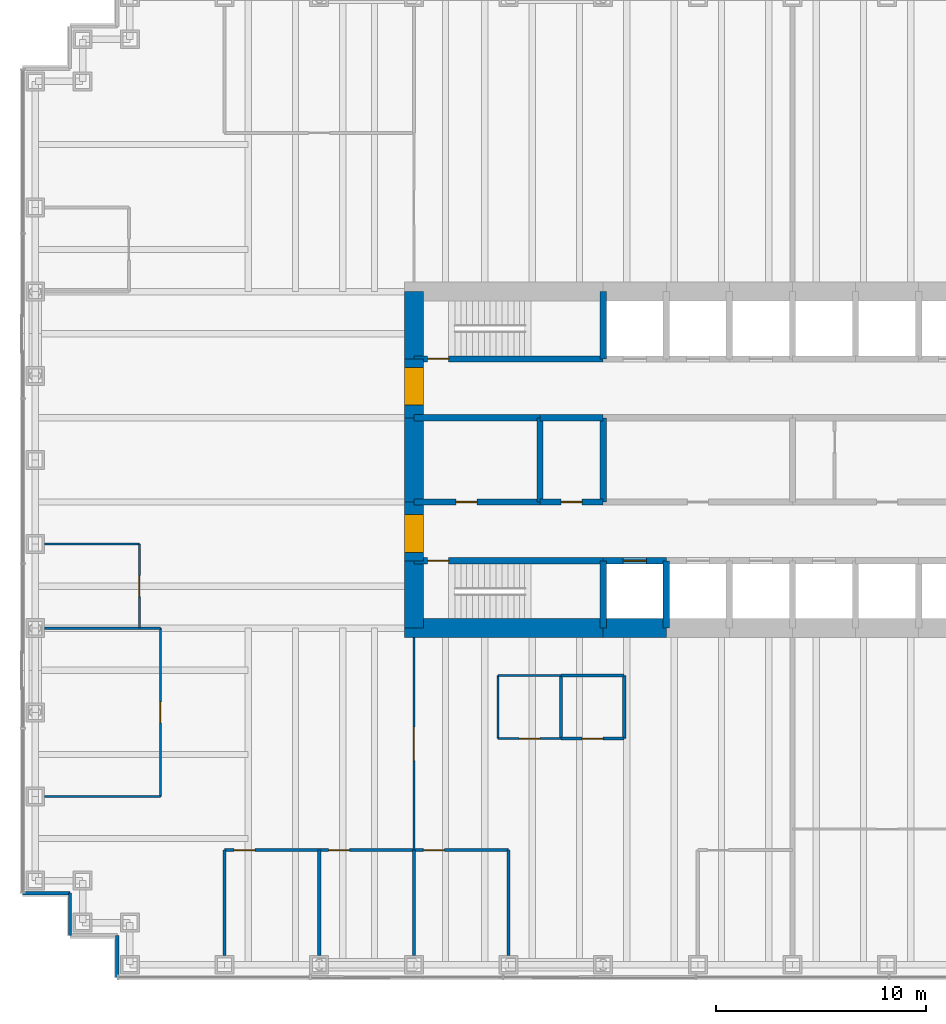
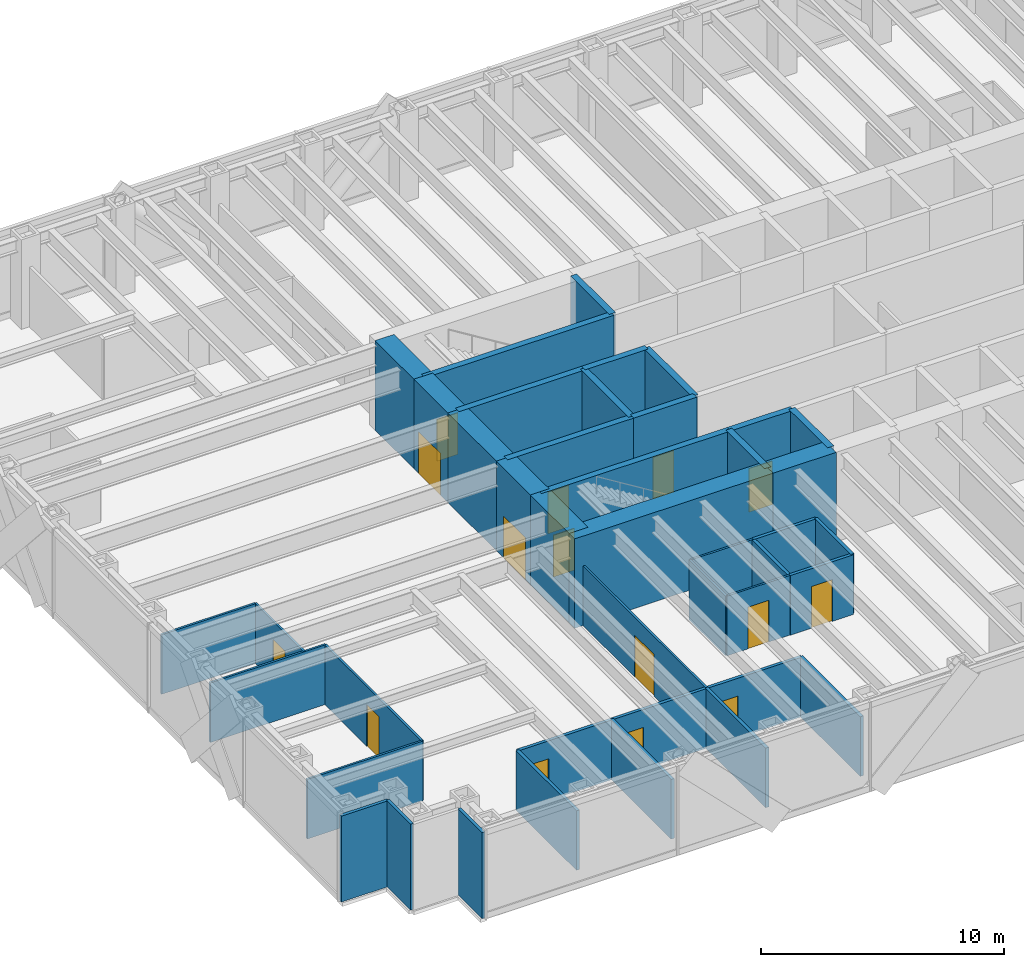
# One storey, part 9 of 13: 40 walls, 15 doors, 15 openings.
"""IFC4 building model written with IfcOpenShell, lengths in metres."""

from ifc_helpers import new_model, si_unit, direction, frame, frame_2d, origin, place, context, subcontext, project, spatial, rectangle, extrude, material, layer, layer_set, type_object, element, fill, save


model = new_model("IFC4")

# Units and contexts
model_context = context("Model", 3, precision=1e-05, world=origin(), true_north=direction((0.0, 1.0)))
body_context = subcontext(model_context, "Body", "Model", "MODEL_VIEW")
ifc_project = project(units=[si_unit("LENGTHUNIT", "METRE"), si_unit("AREAUNIT", "SQUARE_METRE"), si_unit("VOLUMEUNIT", "CUBIC_METRE"), si_unit("PLANEANGLEUNIT", "RADIAN"), si_unit("MASSUNIT", "GRAM", prefix="KILO")], contexts=[model_context])

# Site, building, storey
site_placement = place(None, origin())
site = spatial("IfcSite", under=ifc_project, at=site_placement, CompositionType="ELEMENT")
building_placement = place(site_placement, origin())
building = spatial("IfcBuilding", under=site, at=building_placement, Name="Rheinbord Bourse Tower", CompositionType="ELEMENT")
storey_placement = place(building_placement, frame((0.0, 0.0, 50.0)))
storey = spatial("IfcBuildingStorey", under=building, at=storey_placement, Name="L10", CompositionType="ELEMENT", Elevation=50.0)

# Wall, opening, door
ifc_material_1 = material(Name="Concrete C50/60", Category="concrete")
ifc_layer_1 = layer(ifc_material_1, 0.300048828125)
ifc_layer_set_1 = layer_set([ifc_layer_1], Name="CORE INNER WALL 300")
wall_type_1 = type_object("IfcWallType", Name="CORE INNER WALL 300", PredefinedType="SOLIDWALL", material=ifc_layer_set_1)
wall_1_placement = place(storey_placement, frame((18.0, 19.199951171875, 0.0), z_axis=(0.0, 0.0, 1.0), x_axis=(1.0, 0.0, 0.0)))
wall_1 = element("IfcWall", 1, at=wall_1_placement, inside=storey, type_object=wall_type_1, Name="Core wall A1 L10", PredefinedType="SOLIDWALL", context=body_context, shape_type="SweptSolid", body=[
    extrude(rectangle(XDim=9.0, YDim=0.300048828125, at=frame_2d((4.5, 0.0))), origin(), (0.0, 0.0, 1.0), 4.5),
])
opening_1_placement = place(wall_1_placement, frame((0.64990234375, 0.0, 0.0)))
opening_1 = element("IfcOpeningElement", 2, at=opening_1_placement, cuts=wall_1, Name="Opening 1010", PredefinedType="OPENING", context=body_context, shape_type="SweptSolid", body=[
    extrude(rectangle(XDim=1.0, YDim=2.10009765625, at=frame_2d((0.5, 1.050048828125))), frame((0.0, 0.159912109375, 0.0), z_axis=(0.0, -1.0, 0.0), x_axis=(1.0, 0.0, 0.0)), (0.0, 0.0, 1.0), 0.320068359375),
])
ifc_material_2 = material(Name="Steel door", Category="steel")
door_type_1 = type_object("IfcDoorType", Name="DOOR 1000 EI30", OperationType="SINGLE_SWING_LEFT", PredefinedType="DOOR", material=ifc_material_2)
door_1_placement = place(opening_1_placement, origin())
door_1 = element("IfcDoor", 3, at=door_1_placement, inside=storey, type_object=door_type_1, Name="Stair door ST1 L10", OperationType="SINGLE_SWING_LEFT", OverallHeight=2.10009765625, OverallWidth=1.0, PredefinedType="DOOR", context=body_context, shape_type="SweptSolid", body=[
    extrude(rectangle(XDim=1.0, YDim=2.10009765625, at=frame_2d((0.5, 1.050048828125))), frame((0.0, 0.02490234375, 0.0), z_axis=(0.0, -1.0, 0.0), x_axis=(1.0, 0.0, 0.0)), (0.0, 0.0, 1.0), 0.050048828125),
])
fill(opening_1, door_1)

wall_2_placement = place(storey_placement, frame((27.0, 19.199951171875, 0.0), z_axis=(0.0, 0.0, 1.0), x_axis=(1.0, 0.0, 0.0)))
wall_2 = element("IfcWall", 4, at=wall_2_placement, inside=storey, type_object=wall_type_1, Name="Core wall A2 L10", PredefinedType="SOLIDWALL", context=body_context, shape_type="SweptSolid", body=[
    extrude(rectangle(XDim=3.0, YDim=0.300048828125, at=frame_2d((1.5, 0.0))), origin(), (0.0, 0.0, 1.0), 4.5),
])
opening_2_placement = place(wall_2_placement, frame((0.949951171875, 0.0, 0.0)))
opening_2 = element("IfcOpeningElement", 5, at=opening_2_placement, cuts=wall_2, Name="Opening FL1", PredefinedType="OPENING", context=body_context, shape_type="SweptSolid", body=[
    extrude(rectangle(XDim=1.10009765625, YDim=2.199951171875, at=frame_2d((0.550048828125, 1.10009765625))), frame((0.0, 0.159912109375, 0.0), z_axis=(0.0, -1.0, 0.0), x_axis=(1.0, 0.0, 0.0)), (0.0, 0.0, 1.0), 0.320068359375),
])
ifc_material_3 = material(Name="Steel landing door", Category="steel")
door_type_2 = type_object("IfcDoorType", Name="LIFT LANDING DOOR 1100", OperationType="DOUBLE_DOOR_SLIDING", PredefinedType="USERDEFINED", material=ifc_material_3)
door_2_placement = place(opening_2_placement, origin())
door_2 = element("IfcDoor", 6, at=door_2_placement, inside=storey, type_object=door_type_2, Name="Lift landing door FL1 L10", ObjectType="LIFT LANDING DOOR", OperationType="DOUBLE_DOOR_SLIDING", OverallHeight=2.199951171875, OverallWidth=1.10009765625, PredefinedType="USERDEFINED", context=body_context, shape_type="SweptSolid", body=[
    extrude(rectangle(XDim=1.10009765625, YDim=2.199951171875, at=frame_2d((0.550048828125, 1.10009765625))), frame((0.0, 0.02490234375, 0.0), z_axis=(0.0, -1.0, 0.0), x_axis=(1.0, 0.0, 0.0)), (0.0, 0.0, 1.0), 0.050048828125),
])
fill(opening_2, door_2)

wall_3_placement = place(storey_placement, frame((18.0, 28.800048828125, 0.0), z_axis=(0.0, 0.0, 1.0), x_axis=(1.0, 0.0, 0.0)))
wall_3 = element("IfcWall", 7, at=wall_3_placement, inside=storey, type_object=wall_type_1, Name="Core wall B1 L10", PredefinedType="SOLIDWALL", context=body_context, shape_type="SweptSolid", body=[
    extrude(rectangle(XDim=9.0, YDim=0.300048828125, at=frame_2d((4.5, 0.0))), origin(), (0.0, 0.0, 1.0), 4.5),
])
opening_3_placement = place(wall_3_placement, frame((0.64990234375, 0.0, 0.0)))
opening_3 = element("IfcOpeningElement", 8, at=opening_3_placement, cuts=wall_3, Name="Opening 1020", PredefinedType="OPENING", context=body_context, shape_type="SweptSolid", body=[
    extrude(rectangle(XDim=1.0, YDim=2.10009765625, at=frame_2d((0.5, 1.050048828125))), frame((0.0, 0.159912109375, 0.0), z_axis=(0.0, -1.0, 0.0), x_axis=(1.0, 0.0, 0.0)), (0.0, 0.0, 1.0), 0.320068359375),
])
door_3_placement = place(opening_3_placement, origin())
door_3 = element("IfcDoor", 9, at=door_3_placement, inside=storey, type_object=door_type_1, Name="Stair door ST2 L10", OperationType="SINGLE_SWING_LEFT", OverallHeight=2.10009765625, OverallWidth=1.0, PredefinedType="DOOR", context=body_context, shape_type="SweptSolid", body=[
    extrude(rectangle(XDim=1.0, YDim=2.10009765625, at=frame_2d((0.5, 1.050048828125))), frame((0.0, 0.02490234375, 0.0), z_axis=(0.0, -1.0, 0.0), x_axis=(1.0, 0.0, 0.0)), (0.0, 0.0, 1.0), 0.050048828125),
])
fill(opening_3, door_3)

wall_4_placement = place(storey_placement, frame((18.0, 22.0, 0.0), z_axis=(0.0, 0.0, 1.0), x_axis=(1.0, 0.0, 0.0)))
wall_4 = element("IfcWall", 10, at=wall_4_placement, inside=storey, type_object=wall_type_1, Name="Core wall C1 L10", PredefinedType="SOLIDWALL", context=body_context, shape_type="SweptSolid", body=[
    extrude(rectangle(XDim=6.0, YDim=0.300048828125, at=frame_2d((3.0, 0.0))), origin(), (0.0, 0.0, 1.0), 4.5),
])
opening_4_placement = place(wall_4_placement, frame((2.0, 0.0, 0.0)))
opening_4 = element("IfcOpeningElement", 11, at=opening_4_placement, cuts=wall_4, Name="Opening 10R1", PredefinedType="OPENING", context=body_context, shape_type="SweptSolid", body=[
    extrude(rectangle(XDim=1.0, YDim=2.10009765625, at=frame_2d((0.5, 1.050048828125))), frame((0.0, 0.159912109375, 0.0), z_axis=(0.0, -1.0, 0.0), x_axis=(1.0, 0.0, 0.0)), (0.0, 0.0, 1.0), 0.320068359375),
])
ifc_material_4 = material(Name="Timber door", Category="wood")
door_type_3 = type_object("IfcDoorType", Name="DOOR 1000 WC", OperationType="SINGLE_SWING_LEFT", PredefinedType="DOOR", material=ifc_material_4)
door_4_placement = place(opening_4_placement, origin())
door_4 = element("IfcDoor", 12, at=door_4_placement, inside=storey, type_object=door_type_3, Name="WC men door L10", OperationType="SINGLE_SWING_LEFT", OverallHeight=2.10009765625, OverallWidth=1.0, PredefinedType="DOOR", context=body_context, shape_type="SweptSolid", body=[
    extrude(rectangle(XDim=1.0, YDim=2.10009765625, at=frame_2d((0.5, 1.050048828125))), frame((0.0, 0.02490234375, 0.0), z_axis=(0.0, -1.0, 0.0), x_axis=(1.0, 0.0, 0.0)), (0.0, 0.0, 1.0), 0.050048828125),
])
fill(opening_4, door_4)

wall_5_placement = place(storey_placement, frame((24.0, 22.0, 0.0), z_axis=(0.0, 0.0, 1.0), x_axis=(1.0, 0.0, 0.0)))
wall_5 = element("IfcWall", 13, at=wall_5_placement, inside=storey, type_object=wall_type_1, Name="Core wall C2 L10", PredefinedType="SOLIDWALL", context=body_context, shape_type="SweptSolid", body=[
    extrude(rectangle(XDim=3.0, YDim=0.300048828125, at=frame_2d((1.5, 0.0))), origin(), (0.0, 0.0, 1.0), 4.5),
])
opening_5_placement = place(wall_5_placement, frame((1.0, 0.0, 0.0)))
opening_5 = element("IfcOpeningElement", 14, at=opening_5_placement, cuts=wall_5, Name="Opening 10R2", PredefinedType="OPENING", context=body_context, shape_type="SweptSolid", body=[
    extrude(rectangle(XDim=1.0, YDim=2.10009765625, at=frame_2d((0.5, 1.050048828125))), frame((0.0, 0.159912109375, 0.0), z_axis=(0.0, -1.0, 0.0), x_axis=(1.0, 0.0, 0.0)), (0.0, 0.0, 1.0), 0.320068359375),
])
door_5_placement = place(opening_5_placement, origin())
door_5 = element("IfcDoor", 15, at=door_5_placement, inside=storey, type_object=door_type_1, Name="First aid room door L10", OperationType="SINGLE_SWING_LEFT", OverallHeight=2.10009765625, OverallWidth=1.0, PredefinedType="DOOR", context=body_context, shape_type="SweptSolid", body=[
    extrude(rectangle(XDim=1.0, YDim=2.10009765625, at=frame_2d((0.5, 1.050048828125))), frame((0.0, 0.02490234375, 0.0), z_axis=(0.0, -1.0, 0.0), x_axis=(1.0, 0.0, 0.0)), (0.0, 0.0, 1.0), 0.050048828125),
])
fill(opening_5, door_5)

# Walls
wall_6_placement = place(storey_placement, frame((18.0, 26.0, 0.0), z_axis=(0.0, 0.0, 1.0), x_axis=(1.0, 0.0, 0.0)))
element("IfcWall", 16, at=wall_6_placement, inside=storey, type_object=wall_type_1, Name="Core wall D1 L10", PredefinedType="SOLIDWALL", context=body_context, shape_type="SweptSolid", body=[
    extrude(rectangle(XDim=6.0, YDim=0.300048828125, at=frame_2d((3.0, 0.0))), origin(), (0.0, 0.0, 1.0), 4.5),
])
wall_7_placement = place(storey_placement, frame((24.0, 26.0, 0.0), z_axis=(0.0, 0.0, 1.0), x_axis=(1.0, 0.0, 0.0)))
element("IfcWall", 17, at=wall_7_placement, inside=storey, type_object=wall_type_1, Name="Core wall D2 L10", PredefinedType="SOLIDWALL", context=body_context, shape_type="SweptSolid", body=[
    extrude(rectangle(XDim=3.0, YDim=0.300048828125, at=frame_2d((1.5, 0.0))), origin(), (0.0, 0.0, 1.0), 4.5),
])
for number, where, z_axis, x_axis, name in (
    (18, (27.0, 16.0, 0.0), (0.0, 0.0, 1.0), (0.0, 1.0, 0.0), "Core wall SX27 L10"),
    (19, (27.0, 28.800048828125, 0.0), (0.0, 0.0, 1.0), (0.0, 1.0, 0.0), "Core wall NX27 L10"),
    (20, (30.0, 16.0, 0.0), (0.0, 0.0, 1.0), (0.0, 1.0, 0.0), "Core wall SX30 L10"),
):
    element("IfcWall", number, at=place(storey_placement, frame(where, z_axis=z_axis, x_axis=x_axis)), inside=storey, type_object=wall_type_1, Name=name, PredefinedType="SOLIDWALL", context=body_context, shape_type="SweptSolid", body=[
        extrude(rectangle(XDim=3.199951171875, YDim=0.300048828125, at=frame_2d((1.60009765625, 0.0))), origin(), (0.0, 0.0, 1.0), 4.5),
    ])
for number, where, z_axis, x_axis, name in (
    (21, (24.0, 22.0, 0.0), (0.0, 0.0, 1.0), (0.0, 1.0, 0.0), "Core wall MX24 L10"),
    (22, (27.0, 22.0, 0.0), (0.0, 0.0, 1.0), (0.0, 1.0, 0.0), "Core wall MX27 L10"),
):
    element("IfcWall", number, at=place(storey_placement, frame(where, z_axis=z_axis, x_axis=x_axis)), inside=storey, type_object=wall_type_1, Name=name, PredefinedType="SOLIDWALL", context=body_context, shape_type="SweptSolid", body=[
        extrude(rectangle(XDim=4.0, YDim=0.300048828125, at=frame_2d((2.0, 0.0))), origin(), (0.0, 0.0, 1.0), 4.5),
    ])
ifc_material_5 = material(Name="Concrete C50/60", Category="concrete")
ifc_layer_2 = layer(ifc_material_5, 0.89990234375)
ifc_layer_set_2 = layer_set([ifc_layer_2], Name="CORE WALL 900")
wall_type_2 = type_object("IfcWallType", Name="CORE WALL 900", PredefinedType="SHEAR", material=ifc_layer_set_2)
wall_8_placement = place(storey_placement, frame((17.550048828125, 16.0, 0.0), z_axis=(0.0, 0.0, 1.0), x_axis=(1.0, 0.0, 0.0)))
element("IfcWall", 23, at=wall_8_placement, inside=storey, type_object=wall_type_2, Name="Core wall S1 L10", PredefinedType="SHEAR", context=body_context, shape_type="SweptSolid", body=[
    extrude(rectangle(XDim=9.449951171875, YDim=0.89990234375, at=frame_2d((4.72509765625, 0.0))), origin(), (0.0, 0.0, 1.0), 4.5),
])
wall_9_placement = place(storey_placement, frame((27.0, 16.0, 0.0), z_axis=(0.0, 0.0, 1.0), x_axis=(1.0, 0.0, 0.0)))
element("IfcWall", 24, at=wall_9_placement, inside=storey, type_object=wall_type_2, Name="Core wall S2 L10", PredefinedType="SHEAR", context=body_context, shape_type="SweptSolid", body=[
    extrude(rectangle(XDim=3.0, YDim=0.89990234375, at=frame_2d((1.5, 0.0))), origin(), (0.0, 0.0, 1.0), 4.5),
])
wall_10_placement = place(storey_placement, frame((18.0, 32.0, 0.0), z_axis=(0.0, 0.0, 1.0), x_axis=(0.0, -1.0, 0.0)))
element("IfcWall", 25, at=wall_10_placement, inside=storey, type_object=wall_type_2, Name="Core wall W1 L10", PredefinedType="SHEAR", context=body_context, shape_type="SweptSolid", body=[
    extrude(rectangle(XDim=3.199951171875, YDim=0.89990234375, at=frame_2d((1.60009765625, 0.0))), origin(), (0.0, 0.0, 1.0), 4.5),
])

# Wall, opening, door
wall_11_placement = place(storey_placement, frame((18.0, 28.800048828125, 0.0), z_axis=(0.0, 0.0, 1.0), x_axis=(0.0, -1.0, 0.0)))
wall_11 = element("IfcWall", 26, at=wall_11_placement, inside=storey, type_object=wall_type_2, Name="Core wall W2 L10", PredefinedType="SHEAR", context=body_context, shape_type="SweptSolid", body=[
    extrude(rectangle(XDim=2.800048828125, YDim=0.89990234375, at=frame_2d((1.39990234375, 0.0))), origin(), (0.0, 0.0, 1.0), 4.5),
])
opening_6_placement = place(wall_11_placement, frame((0.39990234375, 0.0, 0.0)))
opening_6 = element("IfcOpeningElement", 27, at=opening_6_placement, cuts=wall_11, Name="Opening 10L2", PredefinedType="OPENING", context=body_context, shape_type="SweptSolid", body=[
    extrude(rectangle(XDim=1.800048828125, YDim=2.10009765625, at=frame_2d((0.89990234375, 1.050048828125))), frame((0.0, 0.4599609375, 0.0), z_axis=(0.0, -1.0, 0.0), x_axis=(1.0, 0.0, 0.0)), (0.0, 0.0, 1.0), 0.919921875),
])
ifc_material_6 = material(Name="Steel door", Category="steel")
door_type_4 = type_object("IfcDoorType", Name="DOOR 1800 EI30 DOUBLE", OperationType="DOUBLE_DOOR_DOUBLE_SWING", PredefinedType="DOOR", material=ifc_material_6)
door_6_placement = place(opening_6_placement, origin())
door_6 = element("IfcDoor", 28, at=door_6_placement, inside=storey, type_object=door_type_4, Name="Lobby door 2 L10", OperationType="SINGLE_SWING_LEFT", OverallHeight=2.10009765625, OverallWidth=1.800048828125, PredefinedType="DOOR", context=body_context, shape_type="SweptSolid", body=[
    extrude(rectangle(XDim=1.800048828125, YDim=2.10009765625, at=frame_2d((0.89990234375, 1.050048828125))), frame((0.0, 0.44970703125, 0.0), z_axis=(0.0, -1.0, 0.0), x_axis=(1.0, 0.0, 0.0)), (0.0, 0.0, 1.0), 0.8994140625),
])
fill(opening_6, door_6)

# Wall
wall_12_placement = place(storey_placement, frame((18.0, 26.0, 0.0), z_axis=(0.0, 0.0, 1.0), x_axis=(0.0, -1.0, 0.0)))
element("IfcWall", 29, at=wall_12_placement, inside=storey, type_object=wall_type_2, Name="Core wall W3 L10", PredefinedType="SHEAR", context=body_context, shape_type="SweptSolid", body=[
    extrude(rectangle(XDim=4.0, YDim=0.89990234375, at=frame_2d((2.0, 0.0))), origin(), (0.0, 0.0, 1.0), 4.5),
])

# Wall, opening, door
wall_13_placement = place(storey_placement, frame((18.0, 22.0, 0.0), z_axis=(0.0, 0.0, 1.0), x_axis=(0.0, -1.0, 0.0)))
wall_13 = element("IfcWall", 30, at=wall_13_placement, inside=storey, type_object=wall_type_2, Name="Core wall W4 L10", PredefinedType="SHEAR", context=body_context, shape_type="SweptSolid", body=[
    extrude(rectangle(XDim=2.800048828125, YDim=0.89990234375, at=frame_2d((1.39990234375, 0.0))), origin(), (0.0, 0.0, 1.0), 4.5),
])
opening_7_placement = place(wall_13_placement, frame((0.60009765625, 0.0, 0.0)))
opening_7 = element("IfcOpeningElement", 31, at=opening_7_placement, cuts=wall_13, Name="Opening 10L1", PredefinedType="OPENING", context=body_context, shape_type="SweptSolid", body=[
    extrude(rectangle(XDim=1.800048828125, YDim=2.10009765625, at=frame_2d((0.89990234375, 1.050048828125))), frame((0.0, 0.4599609375, 0.0), z_axis=(0.0, -1.0, 0.0), x_axis=(1.0, 0.0, 0.0)), (0.0, 0.0, 1.0), 0.919921875),
])
door_7_placement = place(opening_7_placement, origin())
door_7 = element("IfcDoor", 32, at=door_7_placement, inside=storey, type_object=door_type_4, Name="Lobby door 1 L10", OperationType="SINGLE_SWING_LEFT", OverallHeight=2.10009765625, OverallWidth=1.800048828125, PredefinedType="DOOR", context=body_context, shape_type="SweptSolid", body=[
    extrude(rectangle(XDim=1.800048828125, YDim=2.10009765625, at=frame_2d((0.89990234375, 1.050048828125))), frame((0.0, 0.44970703125, 0.0), z_axis=(0.0, -1.0, 0.0), x_axis=(1.0, 0.0, 0.0)), (0.0, 0.0, 1.0), 0.8994140625),
])
fill(opening_7, door_7)

# Walls
wall_14_placement = place(storey_placement, frame((18.0, 19.199951171875, 0.0), z_axis=(0.0, 0.0, 1.0), x_axis=(0.0, -1.0, 0.0)))
element("IfcWall", 33, at=wall_14_placement, inside=storey, type_object=wall_type_2, Name="Core wall W5 L10", PredefinedType="SHEAR", context=body_context, shape_type="SweptSolid", body=[
    extrude(rectangle(XDim=3.199951171875, YDim=0.89990234375, at=frame_2d((1.60009765625, 0.0))), origin(), (0.0, 0.0, 1.0), 4.5),
])
ifc_material_7 = material(Name="Black metal rainscreen panel", Category="aluminium")
ifc_layer_3 = layer(ifc_material_7, 0.14990234375)
ifc_layer_set_3 = layer_set([ifc_layer_3], Name="CORNER PIER CLADDING 150")
wall_type_3 = type_object("IfcWallType", Name="CORNER PIER CLADDING 150", PredefinedType="ELEMENTEDWALL", material=ifc_layer_set_3)
wall_15_placement = place(storey_placement, frame((-0.60009765625, 3.39990234375, 0.0), z_axis=(0.0, 0.0, 1.0), x_axis=(1.0, 0.0, 0.0)))
element("IfcWall", 34, at=wall_15_placement, inside=storey, type_object=wall_type_3, Name="Corner pier cladding L10 17", PredefinedType="ELEMENTEDWALL", context=body_context, shape_type="SweptSolid", body=[
    extrude(rectangle(XDim=2.25, YDim=0.14990234375, at=frame_2d((1.125, 0.0))), origin(), (0.0, 0.0, 1.0), 4.320068359375),
])
for number, where, z_axis, x_axis, name in (
    (35, (1.64990234375, 3.39990234375, 0.0), (0.0, 0.0, 1.0), (0.0, -1.0, 0.0), "Corner pier cladding L10 18"),
    (36, (3.89990234375, 1.39990234375, 0.0), (0.0, 0.0, 1.0), (0.0, -1.0, 0.0), "Corner pier cladding L10 20"),
):
    element("IfcWall", number, at=place(storey_placement, frame(where, z_axis=z_axis, x_axis=x_axis)), inside=storey, type_object=wall_type_3, Name=name, PredefinedType="ELEMENTEDWALL", context=body_context, shape_type="SweptSolid", body=[
        extrude(rectangle(XDim=2.0, YDim=0.14990234375, at=frame_2d((1.0, 0.0))), origin(), (0.0, 0.0, 1.0), 4.320068359375),
    ])
ifc_material_8 = material(Name="Toughened laminated glass partition", Category="glass")
ifc_layer_4 = layer(ifc_material_8, 0.10009765625)
ifc_layer_set_4 = layer_set([ifc_layer_4], Name="GLAZED PARTITION 100")
wall_type_4 = type_object("IfcWallType", Name="GLAZED PARTITION 100", PredefinedType="PARTITIONING", material=ifc_layer_set_4)
wall_16_placement = place(storey_placement, frame((0.449951171875, 8.0, 0.0), z_axis=(0.0, 0.0, 1.0), x_axis=(1.0, 0.0, 0.0)))
element("IfcWall", 37, at=wall_16_placement, inside=storey, type_object=wall_type_4, Name="Partition L10-06", PredefinedType="PARTITIONING", context=body_context, shape_type="SweptSolid", body=[
    extrude(rectangle(XDim=5.5, YDim=0.10009765625, at=frame_2d((2.75, 0.0))), origin(), (0.0, 0.0, 1.0), 3.0),
])

# Wall, opening, door
wall_17_placement = place(storey_placement, frame((22.0, 10.75, 0.0), z_axis=(0.0, 0.0, 1.0), x_axis=(1.0, 0.0, 0.0)))
wall_17 = element("IfcWall", 38, at=wall_17_placement, inside=storey, type_object=wall_type_4, Name="Partition L10-07", PredefinedType="PARTITIONING", context=body_context, shape_type="SweptSolid", body=[
    extrude(rectangle(XDim=3.0, YDim=0.10009765625, at=frame_2d((1.5, 0.0))), origin(), (0.0, 0.0, 1.0), 3.0),
])
opening_8_placement = place(wall_17_placement, frame((1.0, 0.0, 0.0)))
opening_8 = element("IfcOpeningElement", 39, at=opening_8_placement, cuts=wall_17, Name="Opening 10D11", PredefinedType="OPENING", context=body_context, shape_type="SweptSolid", body=[
    extrude(rectangle(XDim=1.0, YDim=2.10009765625, at=frame_2d((0.5, 1.050048828125))), frame((0.0, 0.06005859375, 0.0), z_axis=(0.0, -1.0, 0.0), x_axis=(1.0, 0.0, 0.0)), (0.0, 0.0, 1.0), 0.1201171875),
])
ifc_material_9 = material(Name="Timber door", Category="wood")
door_type_5 = type_object("IfcDoorType", Name="ROOM DOOR 1000", OperationType="SINGLE_SWING_LEFT", PredefinedType="DOOR", material=ifc_material_9)
door_8_placement = place(opening_8_placement, origin())
door_8 = element("IfcDoor", 40, at=door_8_placement, inside=storey, type_object=door_type_5, Name="Quiet room door L10", OperationType="SINGLE_SWING_LEFT", OverallHeight=2.10009765625, OverallWidth=1.0, PredefinedType="DOOR", context=body_context, shape_type="SweptSolid", body=[
    extrude(rectangle(XDim=1.0, YDim=2.10009765625, at=frame_2d((0.5, 1.050048828125))), frame((0.0, 0.02490234375, 0.0), z_axis=(0.0, -1.0, 0.0), x_axis=(1.0, 0.0, 0.0)), (0.0, 0.0, 1.0), 0.050048828125),
])
fill(opening_8, door_8)

# Walls
wall_18_placement = place(storey_placement, frame((22.0, 13.75, 0.0), z_axis=(0.0, 0.0, 1.0), x_axis=(1.0, 0.0, 0.0)))
element("IfcWall", 41, at=wall_18_placement, inside=storey, type_object=wall_type_4, Name="Partition L10-10", PredefinedType="PARTITIONING", context=body_context, shape_type="SweptSolid", body=[
    extrude(rectangle(XDim=3.0, YDim=0.10009765625, at=frame_2d((1.5, 0.0))), origin(), (0.0, 0.0, 1.0), 3.0),
])
wall_19_placement = place(storey_placement, frame((0.449951171875, 16.0, 0.0), z_axis=(0.0, 0.0, 1.0), x_axis=(1.0, 0.0, 0.0)))
element("IfcWall", 42, at=wall_19_placement, inside=storey, type_object=wall_type_4, Name="Partition L10-12", PredefinedType="PARTITIONING", context=body_context, shape_type="SweptSolid", body=[
    extrude(rectangle(XDim=5.5, YDim=0.10009765625, at=frame_2d((2.75, 0.0))), origin(), (0.0, 0.0, 1.0), 3.0),
])
wall_20_placement = place(storey_placement, frame((0.449951171875, 20.0, 0.0), z_axis=(0.0, 0.0, 1.0), x_axis=(1.0, 0.0, 0.0)))
element("IfcWall", 43, at=wall_20_placement, inside=storey, type_object=wall_type_4, Name="Partition L10-14", PredefinedType="PARTITIONING", context=body_context, shape_type="SweptSolid", body=[
    extrude(rectangle(XDim=4.5, YDim=0.10009765625, at=frame_2d((2.25, 0.0))), origin(), (0.0, 0.0, 1.0), 3.0),
])

# Wall, opening, door
wall_21_placement = place(storey_placement, frame((4.949951171875, 16.0, 0.0), z_axis=(0.0, 0.0, 1.0), x_axis=(0.0, 1.0, 0.0)))
wall_21 = element("IfcWall", 44, at=wall_21_placement, inside=storey, type_object=wall_type_4, Name="Partition L10-24", PredefinedType="PARTITIONING", context=body_context, shape_type="SweptSolid", body=[
    extrude(rectangle(XDim=4.0, YDim=0.10009765625, at=frame_2d((2.0, 0.0))), origin(), (0.0, 0.0, 1.0), 3.0),
])
opening_9_placement = place(wall_21_placement, frame((1.5, 0.0, 0.0)))
opening_9 = element("IfcOpeningElement", 45, at=opening_9_placement, cuts=wall_21, Name="Opening 10D14", PredefinedType="OPENING", context=body_context, shape_type="SweptSolid", body=[
    extrude(rectangle(XDim=1.0, YDim=2.10009765625, at=frame_2d((0.5, 1.050048828125))), frame((0.0, 0.06005859375, 0.0), z_axis=(0.0, -1.0, 0.0), x_axis=(1.0, 0.0, 0.0)), (0.0, 0.0, 1.0), 0.1201171875),
])
door_9_placement = place(opening_9_placement, origin())
door_9 = element("IfcDoor", 46, at=door_9_placement, inside=storey, type_object=door_type_5, Name="Focus room door L10", OperationType="SINGLE_SWING_LEFT", OverallHeight=2.10009765625, OverallWidth=1.0, PredefinedType="DOOR", context=body_context, shape_type="SweptSolid", body=[
    extrude(rectangle(XDim=1.0, YDim=2.10009765625, at=frame_2d((0.5, 1.050048828125))), frame((0.0, 0.02490234375, 0.0), z_axis=(0.0, -1.0, 0.0), x_axis=(1.0, 0.0, 0.0)), (0.0, 0.0, 1.0), 0.050048828125),
])
fill(opening_9, door_9)

wall_22_placement = place(storey_placement, frame((5.949951171875, 8.0, 0.0), z_axis=(0.0, 0.0, 1.0), x_axis=(0.0, 1.0, 0.0)))
wall_22 = element("IfcWall", 47, at=wall_22_placement, inside=storey, type_object=wall_type_4, Name="Partition L10-25", PredefinedType="PARTITIONING", context=body_context, shape_type="SweptSolid", body=[
    extrude(rectangle(XDim=8.0, YDim=0.10009765625, at=frame_2d((4.0, 0.0))), origin(), (0.0, 0.0, 1.0), 3.0),
])
opening_10_placement = place(wall_22_placement, frame((3.5, 0.0, 0.0)))
opening_10 = element("IfcOpeningElement", 48, at=opening_10_placement, cuts=wall_22, Name="Opening 10D10", PredefinedType="OPENING", context=body_context, shape_type="SweptSolid", body=[
    extrude(rectangle(XDim=1.0, YDim=2.10009765625, at=frame_2d((0.5, 1.050048828125))), frame((0.0, 0.06005859375, 0.0), z_axis=(0.0, -1.0, 0.0), x_axis=(1.0, 0.0, 0.0)), (0.0, 0.0, 1.0), 0.1201171875),
])
door_10_placement = place(opening_10_placement, origin())
door_10 = element("IfcDoor", 49, at=door_10_placement, inside=storey, type_object=door_type_5, Name="Meeting room door L10", OperationType="SINGLE_SWING_LEFT", OverallHeight=2.10009765625, OverallWidth=1.0, PredefinedType="DOOR", context=body_context, shape_type="SweptSolid", body=[
    extrude(rectangle(XDim=1.0, YDim=2.10009765625, at=frame_2d((0.5, 1.050048828125))), frame((0.0, 0.02490234375, 0.0), z_axis=(0.0, -1.0, 0.0), x_axis=(1.0, 0.0, 0.0)), (0.0, 0.0, 1.0), 0.050048828125),
])
fill(opening_10, door_10)

wall_23_placement = place(storey_placement, frame((18.0, 5.449951171875, 0.0), z_axis=(0.0, 0.0, 1.0), x_axis=(0.0, 1.0, 0.0)))
wall_23 = element("IfcWall", 50, at=wall_23_placement, inside=storey, type_object=wall_type_4, Name="Partition L10-30", PredefinedType="PARTITIONING", context=body_context, shape_type="SweptSolid", body=[
    extrude(rectangle(XDim=10.10009765625, YDim=0.10009765625, at=frame_2d((5.050048828125, 0.0))), origin(), (0.0, 0.0, 1.0), 3.0),
])
opening_11_placement = place(wall_23_placement, frame((4.25, 0.0, 0.0)))
opening_11 = element("IfcOpeningElement", 51, at=opening_11_placement, cuts=wall_23, Name="Opening 10D21", PredefinedType="OPENING", context=body_context, shape_type="SweptSolid", body=[
    extrude(rectangle(XDim=1.60009765625, YDim=2.10009765625, at=frame_2d((0.800048828125, 1.050048828125))), frame((0.0, 0.06005859375, 0.0), z_axis=(0.0, -1.0, 0.0), x_axis=(1.0, 0.0, 0.0)), (0.0, 0.0, 1.0), 0.1201171875),
])
ifc_material_10 = material(Name="Timber door", Category="wood")
door_type_6 = type_object("IfcDoorType", Name="DOUBLE ROOM DOOR 1600", OperationType="DOUBLE_DOOR_DOUBLE_SWING", PredefinedType="DOOR", material=ifc_material_10)
door_11_placement = place(opening_11_placement, origin())
door_11 = element("IfcDoor", 52, at=door_11_placement, inside=storey, type_object=door_type_6, Name="Open area door L10", OperationType="SINGLE_SWING_LEFT", OverallHeight=2.10009765625, OverallWidth=1.60009765625, PredefinedType="DOOR", context=body_context, shape_type="SweptSolid", body=[
    extrude(rectangle(XDim=1.60009765625, YDim=2.10009765625, at=frame_2d((0.800048828125, 1.050048828125))), frame((0.0, 0.02490234375, 0.0), z_axis=(0.0, -1.0, 0.0), x_axis=(1.0, 0.0, 0.0)), (0.0, 0.0, 1.0), 0.050048828125),
])
fill(opening_11, door_11)

# Wall
wall_24_placement = place(storey_placement, frame((22.0, 10.75, 0.0), z_axis=(0.0, 0.0, 1.0), x_axis=(0.0, 1.0, 0.0)))
element("IfcWall", 53, at=wall_24_placement, inside=storey, type_object=wall_type_4, Name="Partition L10-33", PredefinedType="PARTITIONING", context=body_context, shape_type="SweptSolid", body=[
    extrude(rectangle(XDim=3.0, YDim=0.10009765625, at=frame_2d((1.5, 0.0))), origin(), (0.0, 0.0, 1.0), 3.0),
])

# Wall, openings, doors
ifc_material_11 = material(Name="Gypsum board partition", Category="gypsum board")
ifc_layer_5 = layer(ifc_material_11, 0.14990234375)
ifc_layer_set_5 = layer_set([ifc_layer_5], Name="PARTITION 150")
wall_type_5 = type_object("IfcWallType", Name="PARTITION 150", PredefinedType="PARTITIONING", material=ifc_layer_set_5)
wall_25_placement = place(storey_placement, frame((9.0, 5.449951171875, 0.0), z_axis=(0.0, 0.0, 1.0), x_axis=(1.0, 0.0, 0.0)))
wall_25 = element("IfcWall", 54, at=wall_25_placement, inside=storey, type_object=wall_type_5, Name="Partition L10-02", PredefinedType="PARTITIONING", context=body_context, shape_type="SweptSolid", body=[
    extrude(rectangle(XDim=13.5, YDim=0.14990234375, at=frame_2d((6.75, 0.0))), origin(), (0.0, 0.0, 1.0), 3.0),
])
opening_12_placement = place(wall_25_placement, frame((0.449951171875, 0.0, 0.0)))
opening_12 = element("IfcOpeningElement", 55, at=opening_12_placement, cuts=wall_25, Name="Opening 10D04", PredefinedType="OPENING", context=body_context, shape_type="SweptSolid", body=[
    extrude(rectangle(XDim=1.0, YDim=2.10009765625, at=frame_2d((0.5, 1.050048828125))), frame((0.0, 0.0849609375, 0.0), z_axis=(0.0, -1.0, 0.0), x_axis=(1.0, 0.0, 0.0)), (0.0, 0.0, 1.0), 0.169921875),
])
opening_13_placement = place(wall_25_placement, frame((4.949951171875, 0.0, 0.0)))
opening_13 = element("IfcOpeningElement", 56, at=opening_13_placement, cuts=wall_25, Name="Opening 10D05", PredefinedType="OPENING", context=body_context, shape_type="SweptSolid", body=[
    extrude(rectangle(XDim=1.0, YDim=2.10009765625, at=frame_2d((0.5, 1.050048828125))), frame((0.0, 0.0849609375, 0.0), z_axis=(0.0, -1.0, 0.0), x_axis=(1.0, 0.0, 0.0)), (0.0, 0.0, 1.0), 0.169921875),
])
opening_14_placement = place(wall_25_placement, frame((9.449951171875, 0.0, 0.0)))
opening_14 = element("IfcOpeningElement", 57, at=opening_14_placement, cuts=wall_25, Name="Opening 10D06", PredefinedType="OPENING", context=body_context, shape_type="SweptSolid", body=[
    extrude(rectangle(XDim=1.0, YDim=2.10009765625, at=frame_2d((0.5, 1.050048828125))), frame((0.0, 0.0849609375, 0.0), z_axis=(0.0, -1.0, 0.0), x_axis=(1.0, 0.0, 0.0)), (0.0, 0.0, 1.0), 0.169921875),
])
door_12_placement = place(opening_12_placement, origin())
door_12 = element("IfcDoor", 58, at=door_12_placement, inside=storey, type_object=door_type_5, Name="Office door L10", OperationType="SINGLE_SWING_LEFT", OverallHeight=2.10009765625, OverallWidth=1.0, PredefinedType="DOOR", context=body_context, shape_type="SweptSolid", body=[
    extrude(rectangle(XDim=1.0, YDim=2.10009765625, at=frame_2d((0.5, 1.050048828125))), frame((0.0, 0.02490234375, 0.0), z_axis=(0.0, -1.0, 0.0), x_axis=(1.0, 0.0, 0.0)), (0.0, 0.0, 1.0), 0.050048828125),
])
fill(opening_12, door_12)
door_13_placement = place(opening_13_placement, origin())
door_13 = element("IfcDoor", 59, at=door_13_placement, inside=storey, type_object=door_type_5, Name="Office door L10", OperationType="SINGLE_SWING_LEFT", OverallHeight=2.10009765625, OverallWidth=1.0, PredefinedType="DOOR", context=body_context, shape_type="SweptSolid", body=[
    extrude(rectangle(XDim=1.0, YDim=2.10009765625, at=frame_2d((0.5, 1.050048828125))), frame((0.0, 0.02490234375, 0.0), z_axis=(0.0, -1.0, 0.0), x_axis=(1.0, 0.0, 0.0)), (0.0, 0.0, 1.0), 0.050048828125),
])
fill(opening_13, door_13)
door_14_placement = place(opening_14_placement, origin())
door_14 = element("IfcDoor", 60, at=door_14_placement, inside=storey, type_object=door_type_5, Name="Office door L10", OperationType="SINGLE_SWING_RIGHT", OverallHeight=2.10009765625, OverallWidth=1.0, PredefinedType="DOOR", context=body_context, shape_type="SweptSolid", body=[
    extrude(rectangle(XDim=1.0, YDim=2.10009765625, at=frame_2d((0.5, 1.050048828125))), frame((0.0, 0.02490234375, 0.0), z_axis=(0.0, -1.0, 0.0), x_axis=(1.0, 0.0, 0.0)), (0.0, 0.0, 1.0), 0.050048828125),
])
fill(opening_14, door_14)

# Wall, opening, door
wall_26_placement = place(storey_placement, frame((25.0, 10.75, 0.0), z_axis=(0.0, 0.0, 1.0), x_axis=(1.0, 0.0, 0.0)))
wall_26 = element("IfcWall", 61, at=wall_26_placement, inside=storey, type_object=wall_type_5, Name="Partition L10-08", PredefinedType="PARTITIONING", context=body_context, shape_type="SweptSolid", body=[
    extrude(rectangle(XDim=3.0, YDim=0.14990234375, at=frame_2d((1.5, 0.0))), origin(), (0.0, 0.0, 1.0), 3.0),
])
opening_15_placement = place(wall_26_placement, frame((1.0, 0.0, 0.0)))
opening_15 = element("IfcOpeningElement", 62, at=opening_15_placement, cuts=wall_26, Name="Opening 10D12", PredefinedType="OPENING", context=body_context, shape_type="SweptSolid", body=[
    extrude(rectangle(XDim=1.0, YDim=2.10009765625, at=frame_2d((0.5, 1.050048828125))), frame((0.0, 0.0849609375, 0.0), z_axis=(0.0, -1.0, 0.0), x_axis=(1.0, 0.0, 0.0)), (0.0, 0.0, 1.0), 0.169921875),
])
door_15_placement = place(opening_15_placement, origin())
door_15 = element("IfcDoor", 63, at=door_15_placement, inside=storey, type_object=door_type_5, Name="Print room door L10", OperationType="SINGLE_SWING_LEFT", OverallHeight=2.10009765625, OverallWidth=1.0, PredefinedType="DOOR", context=body_context, shape_type="SweptSolid", body=[
    extrude(rectangle(XDim=1.0, YDim=2.10009765625, at=frame_2d((0.5, 1.050048828125))), frame((0.0, 0.02490234375, 0.0), z_axis=(0.0, -1.0, 0.0), x_axis=(1.0, 0.0, 0.0)), (0.0, 0.0, 1.0), 0.050048828125),
])
fill(opening_15, door_15)

# Walls
wall_27_placement = place(storey_placement, frame((25.0, 13.75, 0.0), z_axis=(0.0, 0.0, 1.0), x_axis=(1.0, 0.0, 0.0)))
element("IfcWall", 64, at=wall_27_placement, inside=storey, type_object=wall_type_5, Name="Partition L10-11", PredefinedType="PARTITIONING", context=body_context, shape_type="SweptSolid", body=[
    extrude(rectangle(XDim=3.0, YDim=0.14990234375, at=frame_2d((1.5, 0.0))), origin(), (0.0, 0.0, 1.0), 3.0),
])
for number, where, z_axis, x_axis, name in (
    (65, (9.0, 0.449951171875, 0.0), (0.0, 0.0, 1.0), (0.0, 1.0, 0.0), "Partition L10-26"),
    (66, (13.5, 0.449951171875, 0.0), (0.0, 0.0, 1.0), (0.0, 1.0, 0.0), "Partition L10-28"),
    (67, (18.0, 0.449951171875, 0.0), (0.0, 0.0, 1.0), (0.0, 1.0, 0.0), "Partition L10-29"),
    (68, (22.5, 0.449951171875, 0.0), (0.0, 0.0, 1.0), (0.0, 1.0, 0.0), "Partition L10-34"),
):
    element("IfcWall", number, at=place(storey_placement, frame(where, z_axis=z_axis, x_axis=x_axis)), inside=storey, type_object=wall_type_5, Name=name, PredefinedType="PARTITIONING", context=body_context, shape_type="SweptSolid", body=[
        extrude(rectangle(XDim=5.0, YDim=0.14990234375, at=frame_2d((2.5, 0.0))), origin(), (0.0, 0.0, 1.0), 3.0),
    ])
for number, where, z_axis, x_axis, name in (
    (69, (25.0, 10.75, 0.0), (0.0, 0.0, 1.0), (0.0, 1.0, 0.0), "Partition L10-35"),
    (70, (28.0, 10.75, 0.0), (0.0, 0.0, 1.0), (0.0, 1.0, 0.0), "Partition L10-36"),
):
    element("IfcWall", number, at=place(storey_placement, frame(where, z_axis=z_axis, x_axis=x_axis)), inside=storey, type_object=wall_type_5, Name=name, PredefinedType="PARTITIONING", context=body_context, shape_type="SweptSolid", body=[
        extrude(rectangle(XDim=3.0, YDim=0.14990234375, at=frame_2d((1.5, 0.0))), origin(), (0.0, 0.0, 1.0), 3.0),
    ])

save(model, "model.ifc")
